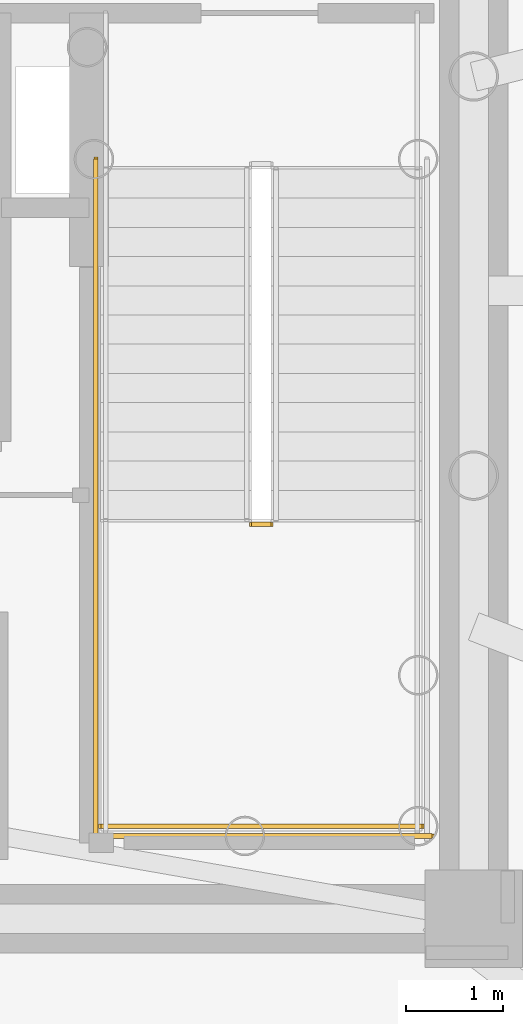
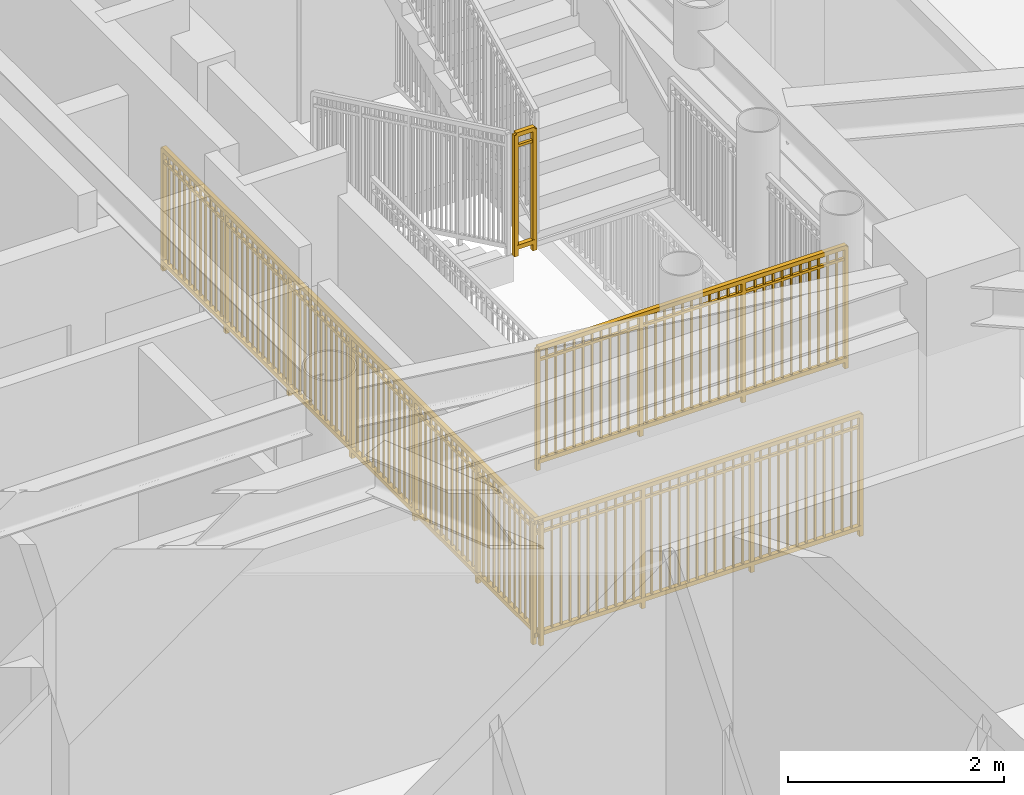
# One storey, part 14 of 20: 4 railings.
"""IFC4 building model written with IfcOpenShell, lengths in metres."""

from ifc_helpers import new_model, si_unit, direction, frame, origin, origin_2d, place, context, subcontext, project, spatial, rectangle, extrude, source, transform, mapped, material, type_object, element, save


model = new_model("IFC4")

# Units and contexts
model_context = context("Model", 3, precision=1e-05, world=origin(), true_north=direction((0.0, 1.0)))
body_context = subcontext(model_context, "Body", "Model", "MODEL_VIEW")
ifc_project = project(units=[si_unit("LENGTHUNIT", "METRE"), si_unit("AREAUNIT", "SQUARE_METRE"), si_unit("VOLUMEUNIT", "CUBIC_METRE"), si_unit("PLANEANGLEUNIT", "RADIAN"), si_unit("MASSUNIT", "GRAM", prefix="KILO")], contexts=[model_context])

# Site, building, storey
site_placement = place(None, origin())
site = spatial("IfcSite", under=ifc_project, at=site_placement, CompositionType="ELEMENT")
building_placement = place(site_placement, origin())
building = spatial("IfcBuilding", under=site, at=building_placement, Name="Linh Dai School and Residence Tower", CompositionType="ELEMENT")
storey_placement = place(building_placement, frame((0.0, 0.0, 288.0)))
storey = spatial("IfcBuildingStorey", under=building, at=storey_placement, Name="L71", CompositionType="ELEMENT", Elevation=288.0)

# Railings
ifc_material = material(Name="Structural Steel S355JR", Category="steel")
railing_type = type_object("IfcRailingType", Name="RL-ST-GUARD-1400", PredefinedType="GUARDRAIL", material=ifc_material)
shared_shape_1 = source(origin(), body_context, "Body", "SweptSolid", [
    extrude(rectangle(XDim=0.048095703125, YDim=0.048095703125, at=origin_2d()), frame((0.0, 0.0, 1.3759765625), z_axis=(1.0, 0.0, 0.0), x_axis=(0.0, 1.0, 0.0)), (0.0, 0.0, 1.0), 0.199951171875),
    extrude(rectangle(XDim=0.048095703125, YDim=0.048095703125, at=origin_2d()), frame((0.0, 0.0, 0.10009765625), z_axis=(1.0, 0.0, 0.0), x_axis=(0.0, 1.0, 0.0)), (0.0, 0.0, 1.0), 0.199951171875),
    extrude(rectangle(XDim=0.030029296875, YDim=0.030029296875, at=origin_2d()), frame((0.0, 0.0, 1.239990234375), z_axis=(1.0, 0.0, 0.0), x_axis=(0.0, 1.0, 0.0)), (0.0, 0.0, 1.0), 0.199951171875),
    extrude(rectangle(XDim=0.0419921875, YDim=0.0419921875, at=origin_2d()), origin(), (0.0, 0.0, 1.0), 1.3759765625),
    extrude(rectangle(XDim=0.0419921875, YDim=0.0419921875, at=origin_2d()), frame((0.199951171875, 0.0, 0.0)), (0.0, 0.0, 1.0), 1.3759765625),
])
railing_1_placement = place(storey_placement, frame((42.570068359375, 24.60009765625, 1.875)))
element("IfcRailing", 1, at=railing_1_placement, inside=storey, type_object=railing_type, Name="L71 ST2 stair guard 2", PredefinedType="GUARDRAIL", context=body_context, shape_type="MappedRepresentation", body=[
    mapped(shared_shape_1, transform((0.0, 0.0, 0.0), x_axis=(1.0, 0.0, 0.0), y_axis=(0.0, 1.0, 0.0), z_axis=(0.0, 0.0, 1.0), scale=1.0)),
])
shared_shape_2 = source(origin(), body_context, "Body", "SweptSolid", [
    extrude(rectangle(XDim=0.048095703125, YDim=0.048095703125, at=origin_2d()), frame((0.0, 0.0, 1.3759765625), z_axis=(1.0, 0.0, 0.0), x_axis=(0.0, 1.0, 0.0)), (0.0, 0.0, 1.0), 3.300048828125),
    extrude(rectangle(XDim=0.048095703125, YDim=0.048095703125, at=origin_2d()), frame((0.0, 0.0, 0.10009765625), z_axis=(1.0, 0.0, 0.0), x_axis=(0.0, 1.0, 0.0)), (0.0, 0.0, 1.0), 3.300048828125),
    extrude(rectangle(XDim=0.030029296875, YDim=0.030029296875, at=origin_2d()), frame((0.0, 0.0, 1.239990234375), z_axis=(1.0, 0.0, 0.0), x_axis=(0.0, 1.0, 0.0)), (0.0, 0.0, 1.0), 3.300048828125),
    extrude(rectangle(XDim=0.02001953125, YDim=0.02001953125, at=origin_2d()), frame((0.09716796875, 0.0, 0.10009765625)), (0.0, 0.0, 1.0), 1.251708984375),
    extrude(rectangle(XDim=0.02001953125, YDim=0.02001953125, at=origin_2d()), frame((0.194091796875, 0.0, 0.10009765625)), (0.0, 0.0, 1.0), 1.251708984375),
    extrude(rectangle(XDim=0.02001953125, YDim=0.02001953125, at=origin_2d()), frame((0.291259765625, 0.0, 0.10009765625)), (0.0, 0.0, 1.0), 1.251708984375),
    extrude(rectangle(XDim=0.02001953125, YDim=0.02001953125, at=origin_2d()), frame((0.38818359375, 0.0, 0.10009765625)), (0.0, 0.0, 1.0), 1.251708984375),
    extrude(rectangle(XDim=0.02001953125, YDim=0.02001953125, at=origin_2d()), frame((0.4853515625, 0.0, 0.10009765625)), (0.0, 0.0, 1.0), 1.251708984375),
    extrude(rectangle(XDim=0.02001953125, YDim=0.02001953125, at=origin_2d()), frame((0.582275390625, 0.0, 0.10009765625)), (0.0, 0.0, 1.0), 1.251708984375),
    extrude(rectangle(XDim=0.02001953125, YDim=0.02001953125, at=origin_2d()), frame((0.679443359375, 0.0, 0.10009765625)), (0.0, 0.0, 1.0), 1.251708984375),
    extrude(rectangle(XDim=0.02001953125, YDim=0.02001953125, at=origin_2d()), frame((0.7763671875, 0.0, 0.10009765625)), (0.0, 0.0, 1.0), 1.251708984375),
    extrude(rectangle(XDim=0.02001953125, YDim=0.02001953125, at=origin_2d()), frame((0.87353515625, 0.0, 0.10009765625)), (0.0, 0.0, 1.0), 1.251708984375),
    extrude(rectangle(XDim=0.02001953125, YDim=0.02001953125, at=origin_2d()), frame((0.970703125, 0.0, 0.10009765625)), (0.0, 0.0, 1.0), 1.251708984375),
    extrude(rectangle(XDim=0.02001953125, YDim=0.02001953125, at=origin_2d()), frame((1.164794921875, 0.0, 0.10009765625)), (0.0, 0.0, 1.0), 1.251708984375),
    extrude(rectangle(XDim=0.02001953125, YDim=0.02001953125, at=origin_2d()), frame((1.26171875, 0.0, 0.10009765625)), (0.0, 0.0, 1.0), 1.251708984375),
    extrude(rectangle(XDim=0.02001953125, YDim=0.02001953125, at=origin_2d()), frame((1.35888671875, 0.0, 0.10009765625)), (0.0, 0.0, 1.0), 1.251708984375),
    extrude(rectangle(XDim=0.02001953125, YDim=0.02001953125, at=origin_2d()), frame((1.455810546875, 0.0, 0.10009765625)), (0.0, 0.0, 1.0), 1.251708984375),
    extrude(rectangle(XDim=0.02001953125, YDim=0.02001953125, at=origin_2d()), frame((1.552978515625, 0.0, 0.10009765625)), (0.0, 0.0, 1.0), 1.251708984375),
    extrude(rectangle(XDim=0.02001953125, YDim=0.02001953125, at=origin_2d()), frame((1.64990234375, 0.0, 0.10009765625)), (0.0, 0.0, 1.0), 1.251708984375),
    extrude(rectangle(XDim=0.02001953125, YDim=0.02001953125, at=origin_2d()), frame((1.7470703125, 0.0, 0.10009765625)), (0.0, 0.0, 1.0), 1.251708984375),
    extrude(rectangle(XDim=0.02001953125, YDim=0.02001953125, at=origin_2d()), frame((1.84423828125, 0.0, 0.10009765625)), (0.0, 0.0, 1.0), 1.251708984375),
    extrude(rectangle(XDim=0.02001953125, YDim=0.02001953125, at=origin_2d()), frame((1.941162109375, 0.0, 0.10009765625)), (0.0, 0.0, 1.0), 1.251708984375),
    extrude(rectangle(XDim=0.02001953125, YDim=0.02001953125, at=origin_2d()), frame((2.038330078125, 0.0, 0.10009765625)), (0.0, 0.0, 1.0), 1.251708984375),
    extrude(rectangle(XDim=0.02001953125, YDim=0.02001953125, at=origin_2d()), frame((2.13525390625, 0.0, 0.10009765625)), (0.0, 0.0, 1.0), 1.251708984375),
    extrude(rectangle(XDim=0.02001953125, YDim=0.02001953125, at=origin_2d()), frame((2.329345703125, 0.0, 0.10009765625)), (0.0, 0.0, 1.0), 1.251708984375),
    extrude(rectangle(XDim=0.02001953125, YDim=0.02001953125, at=origin_2d()), frame((2.426513671875, 0.0, 0.10009765625)), (0.0, 0.0, 1.0), 1.251708984375),
    extrude(rectangle(XDim=0.02001953125, YDim=0.02001953125, at=origin_2d()), frame((2.523681640625, 0.0, 0.10009765625)), (0.0, 0.0, 1.0), 1.251708984375),
    extrude(rectangle(XDim=0.02001953125, YDim=0.02001953125, at=origin_2d()), frame((2.62060546875, 0.0, 0.10009765625)), (0.0, 0.0, 1.0), 1.251708984375),
    extrude(rectangle(XDim=0.02001953125, YDim=0.02001953125, at=origin_2d()), frame((2.7177734375, 0.0, 0.10009765625)), (0.0, 0.0, 1.0), 1.251708984375),
    extrude(rectangle(XDim=0.02001953125, YDim=0.02001953125, at=origin_2d()), frame((2.814697265625, 0.0, 0.10009765625)), (0.0, 0.0, 1.0), 1.251708984375),
    extrude(rectangle(XDim=0.02001953125, YDim=0.02001953125, at=origin_2d()), frame((2.911865234375, 0.0, 0.10009765625)), (0.0, 0.0, 1.0), 1.251708984375),
    extrude(rectangle(XDim=0.02001953125, YDim=0.02001953125, at=origin_2d()), frame((3.0087890625, 0.0, 0.10009765625)), (0.0, 0.0, 1.0), 1.251708984375),
    extrude(rectangle(XDim=0.02001953125, YDim=0.02001953125, at=origin_2d()), frame((3.10595703125, 0.0, 0.10009765625)), (0.0, 0.0, 1.0), 1.251708984375),
    extrude(rectangle(XDim=0.02001953125, YDim=0.02001953125, at=origin_2d()), frame((3.202880859375, 0.0, 0.10009765625)), (0.0, 0.0, 1.0), 1.251708984375),
    extrude(rectangle(XDim=0.0419921875, YDim=0.0419921875, at=origin_2d()), origin(), (0.0, 0.0, 1.0), 1.3759765625),
    extrude(rectangle(XDim=0.0419921875, YDim=0.0419921875, at=origin_2d()), frame((1.10009765625, 0.0, 0.0)), (0.0, 0.0, 1.0), 1.3759765625),
    extrude(rectangle(XDim=0.0419921875, YDim=0.0419921875, at=origin_2d()), frame((2.199951171875, 0.0, 0.0)), (0.0, 0.0, 1.0), 1.3759765625),
    extrude(rectangle(XDim=0.0419921875, YDim=0.0419921875, at=origin_2d()), frame((3.300048828125, 0.0, 0.0)), (0.0, 0.0, 1.0), 1.3759765625),
])
railing_2_placement = place(storey_placement, frame((41.02001953125, 21.5, 1.875)))
element("IfcRailing", 2, at=railing_2_placement, inside=storey, type_object=railing_type, Name="L71 ST2 stair guard 5", PredefinedType="GUARDRAIL", context=body_context, shape_type="MappedRepresentation", body=[
    mapped(shared_shape_2, transform((0.0, 0.0, 0.0), x_axis=(1.0, 0.0, 0.0), y_axis=(0.0, 1.0, 0.0), z_axis=(0.0, 0.0, 1.0), scale=1.0)),
])
shared_shape_3 = source(origin(), body_context, "Body", "SweptSolid", [
    extrude(rectangle(XDim=0.048095703125, YDim=0.048095703125, at=origin_2d()), frame((0.0, 0.0, 1.3759765625), z_axis=(0.0, -1.0, 0.0), x_axis=(1.0, 0.0, 0.0)), (0.0, 0.0, 1.0), 7.0),
    extrude(rectangle(XDim=0.048095703125, YDim=0.048095703125, at=origin_2d()), frame((0.0, 0.0, 0.10009765625), z_axis=(0.0, -1.0, 0.0), x_axis=(1.0, 0.0, 0.0)), (0.0, 0.0, 1.0), 7.0),
    extrude(rectangle(XDim=0.030029296875, YDim=0.030029296875, at=origin_2d()), frame((0.0, 0.0, 1.239990234375), z_axis=(0.0, -1.0, 0.0), x_axis=(1.0, 0.0, 0.0)), (0.0, 0.0, 1.0), 7.0),
    extrude(rectangle(XDim=0.02001953125, YDim=0.02001953125, at=origin_2d()), frame((0.0, -0.09716796875, 0.10009765625)), (0.0, 0.0, 1.0), 1.251708984375),
    extrude(rectangle(XDim=0.02001953125, YDim=0.02001953125, at=origin_2d()), frame((0.0, -0.1943359375, 0.10009765625)), (0.0, 0.0, 1.0), 1.251708984375),
    extrude(rectangle(XDim=0.02001953125, YDim=0.02001953125, at=origin_2d()), frame((0.0, -0.291748046875, 0.10009765625)), (0.0, 0.0, 1.0), 1.251708984375),
    extrude(rectangle(XDim=0.02001953125, YDim=0.02001953125, at=origin_2d()), frame((0.0, -0.388916015625, 0.10009765625)), (0.0, 0.0, 1.0), 1.251708984375),
    extrude(rectangle(XDim=0.02001953125, YDim=0.02001953125, at=origin_2d()), frame((0.0, -0.486083984375, 0.10009765625)), (0.0, 0.0, 1.0), 1.251708984375),
    extrude(rectangle(XDim=0.02001953125, YDim=0.02001953125, at=origin_2d()), frame((0.0, -0.583251953125, 0.10009765625)), (0.0, 0.0, 1.0), 1.251708984375),
    extrude(rectangle(XDim=0.02001953125, YDim=0.02001953125, at=origin_2d()), frame((0.0, -0.6806640625, 0.10009765625)), (0.0, 0.0, 1.0), 1.251708984375),
    extrude(rectangle(XDim=0.02001953125, YDim=0.02001953125, at=origin_2d()), frame((0.0, -0.77783203125, 0.10009765625)), (0.0, 0.0, 1.0), 1.251708984375),
    extrude(rectangle(XDim=0.02001953125, YDim=0.02001953125, at=origin_2d()), frame((0.0, -0.875, 0.10009765625)), (0.0, 0.0, 1.0), 1.251708984375),
    extrude(rectangle(XDim=0.02001953125, YDim=0.02001953125, at=origin_2d()), frame((0.0, -0.97216796875, 0.10009765625)), (0.0, 0.0, 1.0), 1.251708984375),
    extrude(rectangle(XDim=0.02001953125, YDim=0.02001953125, at=origin_2d()), frame((0.0, -1.0693359375, 0.10009765625)), (0.0, 0.0, 1.0), 1.251708984375),
    extrude(rectangle(XDim=0.02001953125, YDim=0.02001953125, at=origin_2d()), frame((0.0, -1.263916015625, 0.10009765625)), (0.0, 0.0, 1.0), 1.251708984375),
    extrude(rectangle(XDim=0.02001953125, YDim=0.02001953125, at=origin_2d()), frame((0.0, -1.361083984375, 0.10009765625)), (0.0, 0.0, 1.0), 1.251708984375),
    extrude(rectangle(XDim=0.02001953125, YDim=0.02001953125, at=origin_2d()), frame((0.0, -1.458251953125, 0.10009765625)), (0.0, 0.0, 1.0), 1.251708984375),
    extrude(rectangle(XDim=0.02001953125, YDim=0.02001953125, at=origin_2d()), frame((0.0, -1.5556640625, 0.10009765625)), (0.0, 0.0, 1.0), 1.251708984375),
    extrude(rectangle(XDim=0.02001953125, YDim=0.02001953125, at=origin_2d()), frame((0.0, -1.65283203125, 0.10009765625)), (0.0, 0.0, 1.0), 1.251708984375),
    extrude(rectangle(XDim=0.02001953125, YDim=0.02001953125, at=origin_2d()), frame((0.0, -1.75, 0.10009765625)), (0.0, 0.0, 1.0), 1.251708984375),
    extrude(rectangle(XDim=0.02001953125, YDim=0.02001953125, at=origin_2d()), frame((0.0, -1.84716796875, 0.10009765625)), (0.0, 0.0, 1.0), 1.251708984375),
    extrude(rectangle(XDim=0.02001953125, YDim=0.02001953125, at=origin_2d()), frame((0.0, -1.9443359375, 0.10009765625)), (0.0, 0.0, 1.0), 1.251708984375),
    extrude(rectangle(XDim=0.02001953125, YDim=0.02001953125, at=origin_2d()), frame((0.0, -2.041748046875, 0.10009765625)), (0.0, 0.0, 1.0), 1.251708984375),
    extrude(rectangle(XDim=0.02001953125, YDim=0.02001953125, at=origin_2d()), frame((0.0, -2.138916015625, 0.10009765625)), (0.0, 0.0, 1.0), 1.251708984375),
    extrude(rectangle(XDim=0.02001953125, YDim=0.02001953125, at=origin_2d()), frame((0.0, -2.236083984375, 0.10009765625)), (0.0, 0.0, 1.0), 1.251708984375),
    extrude(rectangle(XDim=0.02001953125, YDim=0.02001953125, at=origin_2d()), frame((0.0, -2.4306640625, 0.10009765625)), (0.0, 0.0, 1.0), 1.251708984375),
    extrude(rectangle(XDim=0.02001953125, YDim=0.02001953125, at=origin_2d()), frame((0.0, -2.52783203125, 0.10009765625)), (0.0, 0.0, 1.0), 1.251708984375),
    extrude(rectangle(XDim=0.02001953125, YDim=0.02001953125, at=origin_2d()), frame((0.0, -2.625, 0.10009765625)), (0.0, 0.0, 1.0), 1.251708984375),
    extrude(rectangle(XDim=0.02001953125, YDim=0.02001953125, at=origin_2d()), frame((0.0, -2.72216796875, 0.10009765625)), (0.0, 0.0, 1.0), 1.251708984375),
    extrude(rectangle(XDim=0.02001953125, YDim=0.02001953125, at=origin_2d()), frame((0.0, -2.8193359375, 0.10009765625)), (0.0, 0.0, 1.0), 1.251708984375),
    extrude(rectangle(XDim=0.02001953125, YDim=0.02001953125, at=origin_2d()), frame((0.0, -2.916748046875, 0.10009765625)), (0.0, 0.0, 1.0), 1.251708984375),
    extrude(rectangle(XDim=0.02001953125, YDim=0.02001953125, at=origin_2d()), frame((0.0, -3.013916015625, 0.10009765625)), (0.0, 0.0, 1.0), 1.251708984375),
    extrude(rectangle(XDim=0.02001953125, YDim=0.02001953125, at=origin_2d()), frame((0.0, -3.111083984375, 0.10009765625)), (0.0, 0.0, 1.0), 1.251708984375),
    extrude(rectangle(XDim=0.02001953125, YDim=0.02001953125, at=origin_2d()), frame((0.0, -3.208251953125, 0.10009765625)), (0.0, 0.0, 1.0), 1.251708984375),
    extrude(rectangle(XDim=0.02001953125, YDim=0.02001953125, at=origin_2d()), frame((0.0, -3.3056640625, 0.10009765625)), (0.0, 0.0, 1.0), 1.251708984375),
    extrude(rectangle(XDim=0.02001953125, YDim=0.02001953125, at=origin_2d()), frame((0.0, -3.40283203125, 0.10009765625)), (0.0, 0.0, 1.0), 1.251708984375),
    extrude(rectangle(XDim=0.02001953125, YDim=0.02001953125, at=origin_2d()), frame((0.0, -3.59716796875, 0.10009765625)), (0.0, 0.0, 1.0), 1.251708984375),
    extrude(rectangle(XDim=0.02001953125, YDim=0.02001953125, at=origin_2d()), frame((0.0, -3.6943359375, 0.10009765625)), (0.0, 0.0, 1.0), 1.251708984375),
    extrude(rectangle(XDim=0.02001953125, YDim=0.02001953125, at=origin_2d()), frame((0.0, -3.791748046875, 0.10009765625)), (0.0, 0.0, 1.0), 1.251708984375),
    extrude(rectangle(XDim=0.02001953125, YDim=0.02001953125, at=origin_2d()), frame((0.0, -3.888916015625, 0.10009765625)), (0.0, 0.0, 1.0), 1.251708984375),
    extrude(rectangle(XDim=0.02001953125, YDim=0.02001953125, at=origin_2d()), frame((0.0, -3.986083984375, 0.10009765625)), (0.0, 0.0, 1.0), 1.251708984375),
    extrude(rectangle(XDim=0.02001953125, YDim=0.02001953125, at=origin_2d()), frame((0.0, -4.083251953125, 0.10009765625)), (0.0, 0.0, 1.0), 1.251708984375),
    extrude(rectangle(XDim=0.02001953125, YDim=0.02001953125, at=origin_2d()), frame((0.0, -4.1806640625, 0.10009765625)), (0.0, 0.0, 1.0), 1.251708984375),
    extrude(rectangle(XDim=0.02001953125, YDim=0.02001953125, at=origin_2d()), frame((0.0, -4.27783203125, 0.10009765625)), (0.0, 0.0, 1.0), 1.251708984375),
    extrude(rectangle(XDim=0.02001953125, YDim=0.02001953125, at=origin_2d()), frame((0.0, -4.375, 0.10009765625)), (0.0, 0.0, 1.0), 1.251708984375),
    extrude(rectangle(XDim=0.02001953125, YDim=0.02001953125, at=origin_2d()), frame((0.0, -4.47216796875, 0.10009765625)), (0.0, 0.0, 1.0), 1.251708984375),
    extrude(rectangle(XDim=0.02001953125, YDim=0.02001953125, at=origin_2d()), frame((0.0, -4.5693359375, 0.10009765625)), (0.0, 0.0, 1.0), 1.251708984375),
    extrude(rectangle(XDim=0.02001953125, YDim=0.02001953125, at=origin_2d()), frame((0.0, -4.763916015625, 0.10009765625)), (0.0, 0.0, 1.0), 1.251708984375),
    extrude(rectangle(XDim=0.02001953125, YDim=0.02001953125, at=origin_2d()), frame((0.0, -4.861083984375, 0.10009765625)), (0.0, 0.0, 1.0), 1.251708984375),
    extrude(rectangle(XDim=0.02001953125, YDim=0.02001953125, at=origin_2d()), frame((0.0, -4.958251953125, 0.10009765625)), (0.0, 0.0, 1.0), 1.251708984375),
    extrude(rectangle(XDim=0.02001953125, YDim=0.02001953125, at=origin_2d()), frame((0.0, -5.0556640625, 0.10009765625)), (0.0, 0.0, 1.0), 1.251708984375),
    extrude(rectangle(XDim=0.02001953125, YDim=0.02001953125, at=origin_2d()), frame((0.0, -5.15283203125, 0.10009765625)), (0.0, 0.0, 1.0), 1.251708984375),
    extrude(rectangle(XDim=0.02001953125, YDim=0.02001953125, at=origin_2d()), frame((0.0, -5.25, 0.10009765625)), (0.0, 0.0, 1.0), 1.251708984375),
    extrude(rectangle(XDim=0.02001953125, YDim=0.02001953125, at=origin_2d()), frame((0.0, -5.34716796875, 0.10009765625)), (0.0, 0.0, 1.0), 1.251708984375),
    extrude(rectangle(XDim=0.02001953125, YDim=0.02001953125, at=origin_2d()), frame((0.0, -5.4443359375, 0.10009765625)), (0.0, 0.0, 1.0), 1.251708984375),
    extrude(rectangle(XDim=0.02001953125, YDim=0.02001953125, at=origin_2d()), frame((0.0, -5.541748046875, 0.10009765625)), (0.0, 0.0, 1.0), 1.251708984375),
    extrude(rectangle(XDim=0.02001953125, YDim=0.02001953125, at=origin_2d()), frame((0.0, -5.638916015625, 0.10009765625)), (0.0, 0.0, 1.0), 1.251708984375),
    extrude(rectangle(XDim=0.02001953125, YDim=0.02001953125, at=origin_2d()), frame((0.0, -5.736083984375, 0.10009765625)), (0.0, 0.0, 1.0), 1.251708984375),
    extrude(rectangle(XDim=0.02001953125, YDim=0.02001953125, at=origin_2d()), frame((0.0, -5.9306640625, 0.10009765625)), (0.0, 0.0, 1.0), 1.251708984375),
    extrude(rectangle(XDim=0.02001953125, YDim=0.02001953125, at=origin_2d()), frame((0.0, -6.02783203125, 0.10009765625)), (0.0, 0.0, 1.0), 1.251708984375),
    extrude(rectangle(XDim=0.02001953125, YDim=0.02001953125, at=origin_2d()), frame((0.0, -6.125, 0.10009765625)), (0.0, 0.0, 1.0), 1.251708984375),
    extrude(rectangle(XDim=0.02001953125, YDim=0.02001953125, at=origin_2d()), frame((0.0, -6.22216796875, 0.10009765625)), (0.0, 0.0, 1.0), 1.251708984375),
    extrude(rectangle(XDim=0.02001953125, YDim=0.02001953125, at=origin_2d()), frame((0.0, -6.3193359375, 0.10009765625)), (0.0, 0.0, 1.0), 1.251708984375),
    extrude(rectangle(XDim=0.02001953125, YDim=0.02001953125, at=origin_2d()), frame((0.0, -6.416748046875, 0.10009765625)), (0.0, 0.0, 1.0), 1.251708984375),
    extrude(rectangle(XDim=0.02001953125, YDim=0.02001953125, at=origin_2d()), frame((0.0, -6.513916015625, 0.10009765625)), (0.0, 0.0, 1.0), 1.251708984375),
    extrude(rectangle(XDim=0.02001953125, YDim=0.02001953125, at=origin_2d()), frame((0.0, -6.611083984375, 0.10009765625)), (0.0, 0.0, 1.0), 1.251708984375),
    extrude(rectangle(XDim=0.02001953125, YDim=0.02001953125, at=origin_2d()), frame((0.0, -6.708251953125, 0.10009765625)), (0.0, 0.0, 1.0), 1.251708984375),
    extrude(rectangle(XDim=0.02001953125, YDim=0.02001953125, at=origin_2d()), frame((0.0, -6.8056640625, 0.10009765625)), (0.0, 0.0, 1.0), 1.251708984375),
    extrude(rectangle(XDim=0.02001953125, YDim=0.02001953125, at=origin_2d()), frame((0.0, -6.90283203125, 0.10009765625)), (0.0, 0.0, 1.0), 1.251708984375),
    extrude(rectangle(XDim=0.0419921875, YDim=0.0419921875, at=origin_2d()), origin(), (0.0, 0.0, 1.0), 1.3759765625),
    extrude(rectangle(XDim=0.0419921875, YDim=0.0419921875, at=origin_2d()), frame((0.0, -1.166748046875, 0.0)), (0.0, 0.0, 1.0), 1.3759765625),
    extrude(rectangle(XDim=0.0419921875, YDim=0.0419921875, at=origin_2d()), frame((0.0, -2.333251953125, 0.0)), (0.0, 0.0, 1.0), 1.3759765625),
    extrude(rectangle(XDim=0.0419921875, YDim=0.0419921875, at=origin_2d()), frame((0.0, -3.5, 0.0)), (0.0, 0.0, 1.0), 1.3759765625),
    extrude(rectangle(XDim=0.0419921875, YDim=0.0419921875, at=origin_2d()), frame((0.0, -4.666748046875, 0.0)), (0.0, 0.0, 1.0), 1.3759765625),
    extrude(rectangle(XDim=0.0419921875, YDim=0.0419921875, at=origin_2d()), frame((0.0, -5.833251953125, 0.0)), (0.0, 0.0, 1.0), 1.3759765625),
    extrude(rectangle(XDim=0.0419921875, YDim=0.0419921875, at=origin_2d()), frame((0.0, -7.0, 0.0)), (0.0, 0.0, 1.0), 1.3759765625),
])
railing_3_placement = place(storey_placement, frame((40.969970703125, 28.35009765625, 0.0)))
element("IfcRailing", 3, at=railing_3_placement, inside=storey, type_object=railing_type, Name="L71 ST2 stair guard 10", PredefinedType="GUARDRAIL", context=body_context, shape_type="MappedRepresentation", body=[
    mapped(shared_shape_3, transform((0.0, 0.0, 0.0), x_axis=(1.0, 0.0, 0.0), y_axis=(0.0, 1.0, 0.0), z_axis=(0.0, 0.0, 1.0), scale=1.0)),
])
shared_shape_4 = source(origin(), body_context, "Body", "SweptSolid", [
    extrude(rectangle(XDim=0.048095703125, YDim=0.048095703125, at=origin_2d()), frame((0.0, 0.0, 1.3759765625), z_axis=(1.0, 0.0, 0.0), x_axis=(0.0, 1.0, 0.0)), (0.0, 0.0, 1.0), 3.5),
    extrude(rectangle(XDim=0.048095703125, YDim=0.048095703125, at=origin_2d()), frame((0.0, 0.0, 0.10009765625), z_axis=(1.0, 0.0, 0.0), x_axis=(0.0, 1.0, 0.0)), (0.0, 0.0, 1.0), 3.5),
    extrude(rectangle(XDim=0.030029296875, YDim=0.030029296875, at=origin_2d()), frame((0.0, 0.0, 1.239990234375), z_axis=(1.0, 0.0, 0.0), x_axis=(0.0, 1.0, 0.0)), (0.0, 0.0, 1.0), 3.5),
    extrude(rectangle(XDim=0.02001953125, YDim=0.02001953125, at=origin_2d()), frame((0.09716796875, 0.0, 0.10009765625)), (0.0, 0.0, 1.0), 1.251708984375),
    extrude(rectangle(XDim=0.02001953125, YDim=0.02001953125, at=origin_2d()), frame((0.1943359375, 0.0, 0.10009765625)), (0.0, 0.0, 1.0), 1.251708984375),
    extrude(rectangle(XDim=0.02001953125, YDim=0.02001953125, at=origin_2d()), frame((0.291748046875, 0.0, 0.10009765625)), (0.0, 0.0, 1.0), 1.251708984375),
    extrude(rectangle(XDim=0.02001953125, YDim=0.02001953125, at=origin_2d()), frame((0.388916015625, 0.0, 0.10009765625)), (0.0, 0.0, 1.0), 1.251708984375),
    extrude(rectangle(XDim=0.02001953125, YDim=0.02001953125, at=origin_2d()), frame((0.486083984375, 0.0, 0.10009765625)), (0.0, 0.0, 1.0), 1.251708984375),
    extrude(rectangle(XDim=0.02001953125, YDim=0.02001953125, at=origin_2d()), frame((0.583251953125, 0.0, 0.10009765625)), (0.0, 0.0, 1.0), 1.251708984375),
    extrude(rectangle(XDim=0.02001953125, YDim=0.02001953125, at=origin_2d()), frame((0.6806640625, 0.0, 0.10009765625)), (0.0, 0.0, 1.0), 1.251708984375),
    extrude(rectangle(XDim=0.02001953125, YDim=0.02001953125, at=origin_2d()), frame((0.77783203125, 0.0, 0.10009765625)), (0.0, 0.0, 1.0), 1.251708984375),
    extrude(rectangle(XDim=0.02001953125, YDim=0.02001953125, at=origin_2d()), frame((0.875, 0.0, 0.10009765625)), (0.0, 0.0, 1.0), 1.251708984375),
    extrude(rectangle(XDim=0.02001953125, YDim=0.02001953125, at=origin_2d()), frame((0.97216796875, 0.0, 0.10009765625)), (0.0, 0.0, 1.0), 1.251708984375),
    extrude(rectangle(XDim=0.02001953125, YDim=0.02001953125, at=origin_2d()), frame((1.0693359375, 0.0, 0.10009765625)), (0.0, 0.0, 1.0), 1.251708984375),
    extrude(rectangle(XDim=0.02001953125, YDim=0.02001953125, at=origin_2d()), frame((1.263916015625, 0.0, 0.10009765625)), (0.0, 0.0, 1.0), 1.251708984375),
    extrude(rectangle(XDim=0.02001953125, YDim=0.02001953125, at=origin_2d()), frame((1.361083984375, 0.0, 0.10009765625)), (0.0, 0.0, 1.0), 1.251708984375),
    extrude(rectangle(XDim=0.02001953125, YDim=0.02001953125, at=origin_2d()), frame((1.458251953125, 0.0, 0.10009765625)), (0.0, 0.0, 1.0), 1.251708984375),
    extrude(rectangle(XDim=0.02001953125, YDim=0.02001953125, at=origin_2d()), frame((1.5556640625, 0.0, 0.10009765625)), (0.0, 0.0, 1.0), 1.251708984375),
    extrude(rectangle(XDim=0.02001953125, YDim=0.02001953125, at=origin_2d()), frame((1.65283203125, 0.0, 0.10009765625)), (0.0, 0.0, 1.0), 1.251708984375),
    extrude(rectangle(XDim=0.02001953125, YDim=0.02001953125, at=origin_2d()), frame((1.75, 0.0, 0.10009765625)), (0.0, 0.0, 1.0), 1.251708984375),
    extrude(rectangle(XDim=0.02001953125, YDim=0.02001953125, at=origin_2d()), frame((1.84716796875, 0.0, 0.10009765625)), (0.0, 0.0, 1.0), 1.251708984375),
    extrude(rectangle(XDim=0.02001953125, YDim=0.02001953125, at=origin_2d()), frame((1.9443359375, 0.0, 0.10009765625)), (0.0, 0.0, 1.0), 1.251708984375),
    extrude(rectangle(XDim=0.02001953125, YDim=0.02001953125, at=origin_2d()), frame((2.041748046875, 0.0, 0.10009765625)), (0.0, 0.0, 1.0), 1.251708984375),
    extrude(rectangle(XDim=0.02001953125, YDim=0.02001953125, at=origin_2d()), frame((2.138916015625, 0.0, 0.10009765625)), (0.0, 0.0, 1.0), 1.251708984375),
    extrude(rectangle(XDim=0.02001953125, YDim=0.02001953125, at=origin_2d()), frame((2.236083984375, 0.0, 0.10009765625)), (0.0, 0.0, 1.0), 1.251708984375),
    extrude(rectangle(XDim=0.02001953125, YDim=0.02001953125, at=origin_2d()), frame((2.4306640625, 0.0, 0.10009765625)), (0.0, 0.0, 1.0), 1.251708984375),
    extrude(rectangle(XDim=0.02001953125, YDim=0.02001953125, at=origin_2d()), frame((2.52783203125, 0.0, 0.10009765625)), (0.0, 0.0, 1.0), 1.251708984375),
    extrude(rectangle(XDim=0.02001953125, YDim=0.02001953125, at=origin_2d()), frame((2.625, 0.0, 0.10009765625)), (0.0, 0.0, 1.0), 1.251708984375),
    extrude(rectangle(XDim=0.02001953125, YDim=0.02001953125, at=origin_2d()), frame((2.72216796875, 0.0, 0.10009765625)), (0.0, 0.0, 1.0), 1.251708984375),
    extrude(rectangle(XDim=0.02001953125, YDim=0.02001953125, at=origin_2d()), frame((2.8193359375, 0.0, 0.10009765625)), (0.0, 0.0, 1.0), 1.251708984375),
    extrude(rectangle(XDim=0.02001953125, YDim=0.02001953125, at=origin_2d()), frame((2.916748046875, 0.0, 0.10009765625)), (0.0, 0.0, 1.0), 1.251708984375),
    extrude(rectangle(XDim=0.02001953125, YDim=0.02001953125, at=origin_2d()), frame((3.013916015625, 0.0, 0.10009765625)), (0.0, 0.0, 1.0), 1.251708984375),
    extrude(rectangle(XDim=0.02001953125, YDim=0.02001953125, at=origin_2d()), frame((3.111083984375, 0.0, 0.10009765625)), (0.0, 0.0, 1.0), 1.251708984375),
    extrude(rectangle(XDim=0.02001953125, YDim=0.02001953125, at=origin_2d()), frame((3.208251953125, 0.0, 0.10009765625)), (0.0, 0.0, 1.0), 1.251708984375),
    extrude(rectangle(XDim=0.02001953125, YDim=0.02001953125, at=origin_2d()), frame((3.3056640625, 0.0, 0.10009765625)), (0.0, 0.0, 1.0), 1.251708984375),
    extrude(rectangle(XDim=0.02001953125, YDim=0.02001953125, at=origin_2d()), frame((3.40283203125, 0.0, 0.10009765625)), (0.0, 0.0, 1.0), 1.251708984375),
    extrude(rectangle(XDim=0.0419921875, YDim=0.0419921875, at=origin_2d()), origin(), (0.0, 0.0, 1.0), 1.3759765625),
    extrude(rectangle(XDim=0.0419921875, YDim=0.0419921875, at=origin_2d()), frame((1.166748046875, 0.0, 0.0)), (0.0, 0.0, 1.0), 1.3759765625),
    extrude(rectangle(XDim=0.0419921875, YDim=0.0419921875, at=origin_2d()), frame((2.333251953125, 0.0, 0.0)), (0.0, 0.0, 1.0), 1.3759765625),
    extrude(rectangle(XDim=0.0419921875, YDim=0.0419921875, at=origin_2d()), frame((3.5, 0.0, 0.0)), (0.0, 0.0, 1.0), 1.3759765625),
])
railing_4_placement = place(storey_placement, frame((40.919921875, 21.39990234375, 0.0)))
element("IfcRailing", 4, at=railing_4_placement, inside=storey, type_object=railing_type, Name="L71 ST2 stair guard 12", PredefinedType="GUARDRAIL", context=body_context, shape_type="MappedRepresentation", body=[
    mapped(shared_shape_4, transform((0.0, 0.0, 0.0), x_axis=(1.0, 0.0, 0.0), y_axis=(0.0, 1.0, 0.0), z_axis=(0.0, 0.0, 1.0), scale=1.0)),
])

save(model, "model.ifc")
